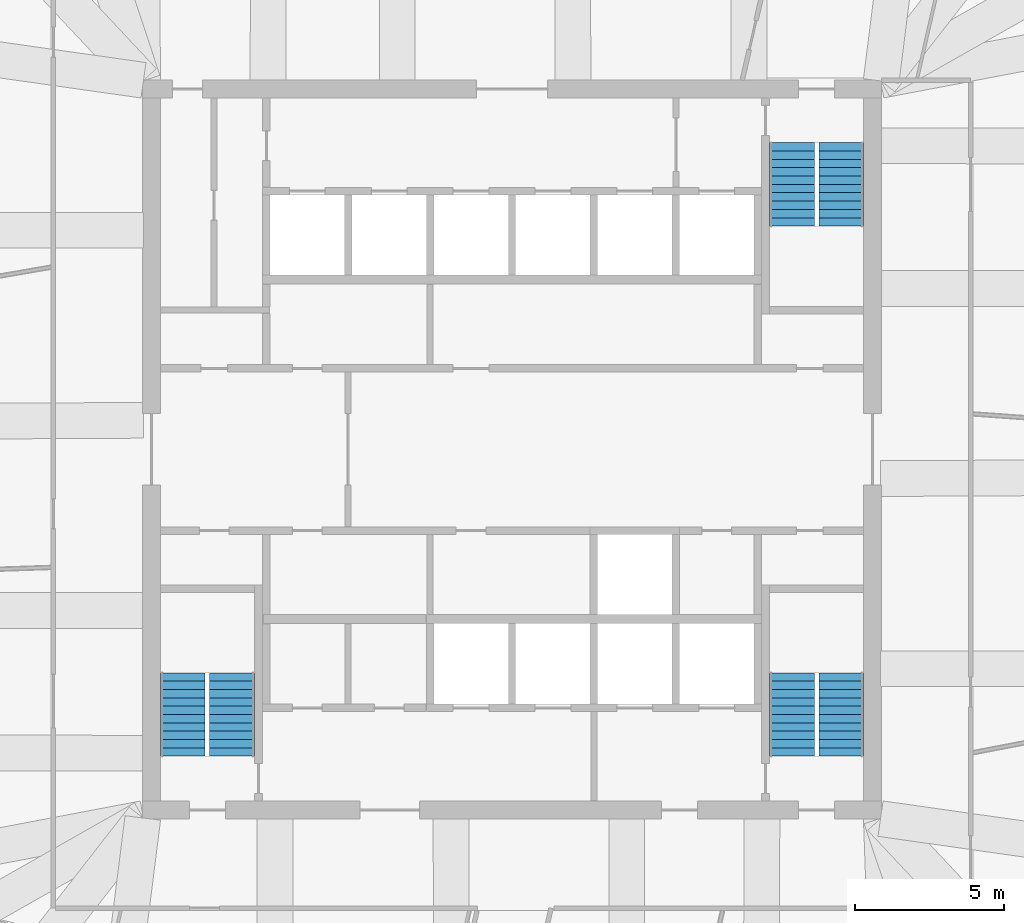
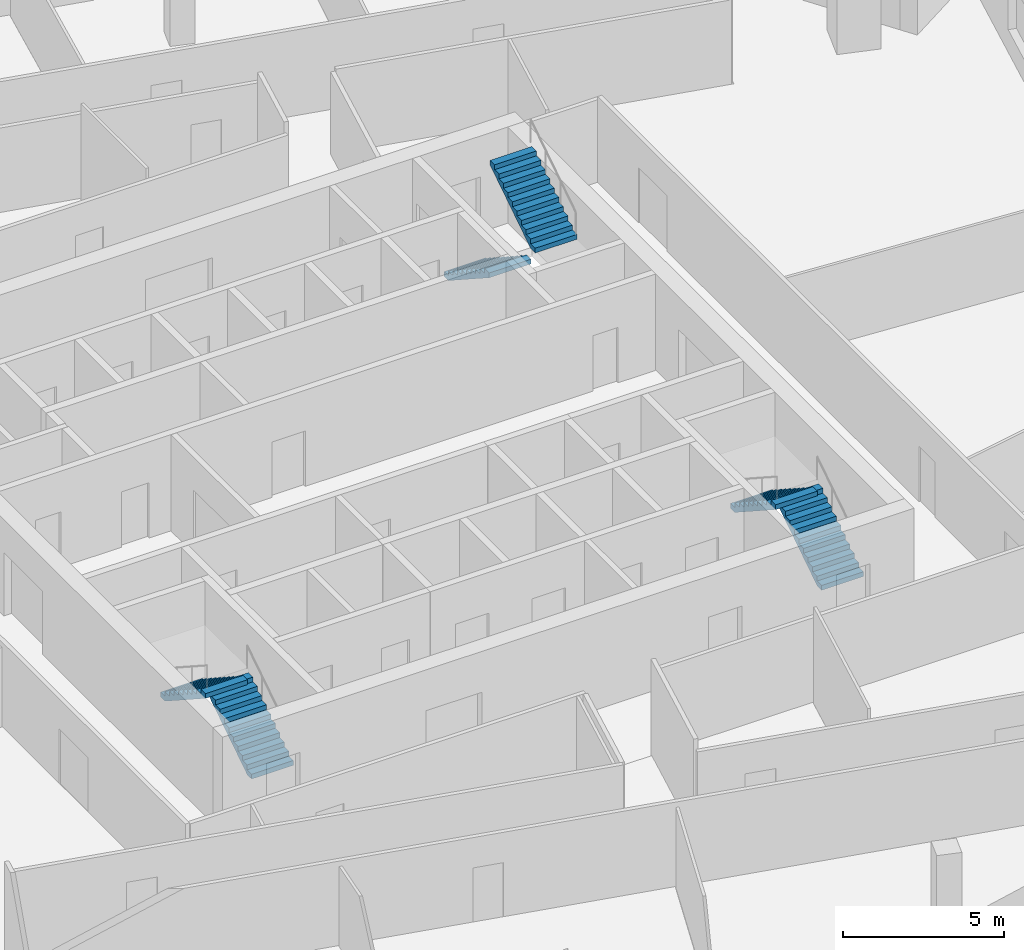
# One storey, part 11 of 14: 6 stair flights, 3 elements without a shape of their own.
"""IFC4 building model written with IfcOpenShell, lengths in metres."""

from ifc_helpers import new_model, si_unit, direction, frame, origin, place, context, subcontext, project, spatial, polyline, outline, extrude, material, type_object, element, aggregate, save


model = new_model("IFC4")

# Units and contexts
model_context = context("Model", 3, precision=1e-05, world=origin(), true_north=direction((0.0, 1.0)))
body_context = subcontext(model_context, "Body", "Model", "MODEL_VIEW")
ifc_project = project(units=[si_unit("LENGTHUNIT", "METRE"), si_unit("AREAUNIT", "SQUARE_METRE"), si_unit("VOLUMEUNIT", "CUBIC_METRE"), si_unit("PLANEANGLEUNIT", "RADIAN"), si_unit("MASSUNIT", "GRAM", prefix="KILO")], contexts=[model_context])

# Site, building, storey
site_placement = place(None, origin())
site = spatial("IfcSite", under=ifc_project, at=site_placement, CompositionType="ELEMENT")
building_placement = place(site_placement, origin())
building = spatial("IfcBuilding", under=site, at=building_placement, Name="Dilmun Exchange Tower", CompositionType="ELEMENT")
storey_placement = place(building_placement, frame((0.0, 0.0, 332.5)))
storey = spatial("IfcBuildingStorey", under=building, at=storey_placement, Name="L79", CompositionType="ELEMENT", Elevation=332.5)

# Stair, stair flights
ifc_material = material(Name="Concrete C40/50", Category="concrete")
stair_type = type_object("IfcStairType", Name="Exit stair 1500 half-turn", PredefinedType="HALF_TURN_STAIR", material=ifc_material)
stair_1_placement = place(storey_placement, origin())
stair_1 = element("IfcStair", 1, at=stair_1_placement, inside=storey, type_object=stair_type, Name="L79 Protected exit stair ST1", PredefinedType="HALF_TURN_STAIR")
stair_flight_type = type_object("IfcStairFlightType", Name="Exit stair flight 1500", PredefinedType="STRAIGHT", material=ifc_material)
stair_flight_1_placement = place(storey_placement, frame((9.39990234375, 10.300048828125, 0.0), z_axis=(0.0, 0.0, 1.0), x_axis=(0.0, -1.0, 0.0)))
stair_flight_1 = element("IfcStairFlight", 2, at=stair_flight_1_placement, type_object=stair_flight_type, Name="ST1 flight 1", NumberOfRisers=11, NumberOfTreads=10, PredefinedType="STRAIGHT", RiserHeight=0.181818182, TreadLength=0.28, context=body_context, shape_type="SweptSolid", body=[
    extrude(outline(polyline([(0.0, 0.0), (0.0, 0.181884765625), (0.280029296875, 0.181884765625), (0.280029296875, 0.363525390625), (0.56005859375, 0.363525390625), (0.56005859375, 0.54541015625), (0.840087890625, 0.54541015625), (0.840087890625, 0.727294921875), (1.1201171875, 0.727294921875), (1.1201171875, 0.9091796875), (1.39990234375, 0.9091796875), (1.39990234375, 1.0908203125), (1.679931640625, 1.0908203125), (1.679931640625, 1.272705078125), (1.9599609375, 1.272705078125), (1.9599609375, 1.45458984375), (2.239990234375, 1.45458984375), (2.239990234375, 1.636474609375), (2.52001953125, 1.636474609375), (2.52001953125, 1.818115234375), (2.800048828125, 1.818115234375), (2.800048828125, 2.0), (2.800048828125, 1.639404296875), (0.275146484375, 0.0), (0.0, 0.0)])), frame((0.0, 0.75, 0.0), z_axis=(0.0, -1.0, 0.0), x_axis=(1.0, 0.0, 0.0)), (0.0, 0.0, 1.0), 1.5),
])
stair_flight_2_placement = place(storey_placement, frame((11.050048828125, 7.5, 2.0), z_axis=(0.0, 0.0, 1.0), x_axis=(0.0, 1.0, 0.0)))
stair_flight_2 = element("IfcStairFlight", 3, at=stair_flight_2_placement, type_object=stair_flight_type, Name="ST1 flight 2", NumberOfRisers=11, NumberOfTreads=10, PredefinedType="STRAIGHT", RiserHeight=0.181818182, TreadLength=0.28, context=body_context, shape_type="SweptSolid", body=[
    extrude(outline(polyline([(0.0, 0.0), (0.0, 0.181884765625), (0.280029296875, 0.181884765625), (0.280029296875, 0.363525390625), (0.56005859375, 0.363525390625), (0.56005859375, 0.54541015625), (0.840087890625, 0.54541015625), (0.840087890625, 0.727294921875), (1.1201171875, 0.727294921875), (1.1201171875, 0.9091796875), (1.39990234375, 0.9091796875), (1.39990234375, 1.0908203125), (1.679931640625, 1.0908203125), (1.679931640625, 1.272705078125), (1.9599609375, 1.272705078125), (1.9599609375, 1.45458984375), (2.239990234375, 1.45458984375), (2.239990234375, 1.636474609375), (2.52001953125, 1.636474609375), (2.52001953125, 1.818115234375), (2.800048828125, 1.818115234375), (2.800048828125, 2.0), (2.800048828125, 1.639404296875), (0.275146484375, 0.0), (0.0, 0.0)])), frame((0.0, 0.75, 0.0), z_axis=(0.0, -1.0, 0.0), x_axis=(1.0, 0.0, 0.0)), (0.0, 0.0, 1.0), 1.5),
])
aggregate(stair_1, [stair_flight_1, stair_flight_2])

stair_2_placement = place(storey_placement, origin())
stair_2 = element("IfcStair", 4, at=stair_2_placement, inside=storey, type_object=stair_type, Name="L79 Protected exit stair ST2", PredefinedType="HALF_TURN_STAIR")
stair_flight_3_placement = place(storey_placement, frame((-9.39990234375, -10.300048828125, 0.0), z_axis=(0.0, 0.0, 1.0), x_axis=(0.0, 1.0, 0.0)))
stair_flight_3 = element("IfcStairFlight", 5, at=stair_flight_3_placement, type_object=stair_flight_type, Name="ST2 flight 1", NumberOfRisers=11, NumberOfTreads=10, PredefinedType="STRAIGHT", RiserHeight=0.181818182, TreadLength=0.28, context=body_context, shape_type="SweptSolid", body=[
    extrude(outline(polyline([(0.0, 0.0), (0.0, 0.181884765625), (0.280029296875, 0.181884765625), (0.280029296875, 0.363525390625), (0.56005859375, 0.363525390625), (0.56005859375, 0.54541015625), (0.840087890625, 0.54541015625), (0.840087890625, 0.727294921875), (1.1201171875, 0.727294921875), (1.1201171875, 0.9091796875), (1.39990234375, 0.9091796875), (1.39990234375, 1.0908203125), (1.679931640625, 1.0908203125), (1.679931640625, 1.272705078125), (1.9599609375, 1.272705078125), (1.9599609375, 1.45458984375), (2.239990234375, 1.45458984375), (2.239990234375, 1.636474609375), (2.52001953125, 1.636474609375), (2.52001953125, 1.818115234375), (2.800048828125, 1.818115234375), (2.800048828125, 2.0), (2.800048828125, 1.639404296875), (0.275146484375, 0.0), (0.0, 0.0)])), frame((0.0, 0.75, 0.0), z_axis=(0.0, -1.0, 0.0), x_axis=(1.0, 0.0, 0.0)), (0.0, 0.0, 1.0), 1.5),
])
stair_flight_4_placement = place(storey_placement, frame((-11.050048828125, -7.5, 2.0), z_axis=(0.0, 0.0, 1.0), x_axis=(0.0, -1.0, 0.0)))
stair_flight_4 = element("IfcStairFlight", 6, at=stair_flight_4_placement, type_object=stair_flight_type, Name="ST2 flight 2", NumberOfRisers=11, NumberOfTreads=10, PredefinedType="STRAIGHT", RiserHeight=0.181818182, TreadLength=0.28, context=body_context, shape_type="SweptSolid", body=[
    extrude(outline(polyline([(0.0, 0.0), (0.0, 0.181884765625), (0.280029296875, 0.181884765625), (0.280029296875, 0.363525390625), (0.56005859375, 0.363525390625), (0.56005859375, 0.54541015625), (0.840087890625, 0.54541015625), (0.840087890625, 0.727294921875), (1.1201171875, 0.727294921875), (1.1201171875, 0.9091796875), (1.39990234375, 0.9091796875), (1.39990234375, 1.0908203125), (1.679931640625, 1.0908203125), (1.679931640625, 1.272705078125), (1.9599609375, 1.272705078125), (1.9599609375, 1.45458984375), (2.239990234375, 1.45458984375), (2.239990234375, 1.636474609375), (2.52001953125, 1.636474609375), (2.52001953125, 1.818115234375), (2.800048828125, 1.818115234375), (2.800048828125, 2.0), (2.800048828125, 1.639404296875), (0.275146484375, 0.0), (0.0, 0.0)])), frame((0.0, 0.75, 0.0), z_axis=(0.0, -1.0, 0.0), x_axis=(1.0, 0.0, 0.0)), (0.0, 0.0, 1.0), 1.5),
])
aggregate(stair_2, [stair_flight_3, stair_flight_4])

stair_3_placement = place(storey_placement, origin())
stair_3 = element("IfcStair", 7, at=stair_3_placement, inside=storey, type_object=stair_type, Name="L79 Protected exit stair ST3", PredefinedType="HALF_TURN_STAIR")
stair_flight_5_placement = place(storey_placement, frame((11.050048828125, -10.300048828125, 0.0), z_axis=(0.0, 0.0, 1.0), x_axis=(0.0, 1.0, 0.0)))
stair_flight_5 = element("IfcStairFlight", 8, at=stair_flight_5_placement, type_object=stair_flight_type, Name="ST3 flight 1", NumberOfRisers=11, NumberOfTreads=10, PredefinedType="STRAIGHT", RiserHeight=0.181818182, TreadLength=0.28, context=body_context, shape_type="SweptSolid", body=[
    extrude(outline(polyline([(0.0, 0.0), (0.0, 0.181884765625), (0.280029296875, 0.181884765625), (0.280029296875, 0.363525390625), (0.56005859375, 0.363525390625), (0.56005859375, 0.54541015625), (0.840087890625, 0.54541015625), (0.840087890625, 0.727294921875), (1.1201171875, 0.727294921875), (1.1201171875, 0.9091796875), (1.39990234375, 0.9091796875), (1.39990234375, 1.0908203125), (1.679931640625, 1.0908203125), (1.679931640625, 1.272705078125), (1.9599609375, 1.272705078125), (1.9599609375, 1.45458984375), (2.239990234375, 1.45458984375), (2.239990234375, 1.636474609375), (2.52001953125, 1.636474609375), (2.52001953125, 1.818115234375), (2.800048828125, 1.818115234375), (2.800048828125, 2.0), (2.800048828125, 1.639404296875), (0.275146484375, 0.0), (0.0, 0.0)])), frame((0.0, 0.75, 0.0), z_axis=(0.0, -1.0, 0.0), x_axis=(1.0, 0.0, 0.0)), (0.0, 0.0, 1.0), 1.5),
])
stair_flight_6_placement = place(storey_placement, frame((9.39990234375, -7.5, 2.0), z_axis=(0.0, 0.0, 1.0), x_axis=(0.0, -1.0, 0.0)))
stair_flight_6 = element("IfcStairFlight", 9, at=stair_flight_6_placement, type_object=stair_flight_type, Name="ST3 flight 2", NumberOfRisers=11, NumberOfTreads=10, PredefinedType="STRAIGHT", RiserHeight=0.181818182, TreadLength=0.28, context=body_context, shape_type="SweptSolid", body=[
    extrude(outline(polyline([(0.0, 0.0), (0.0, 0.181884765625), (0.280029296875, 0.181884765625), (0.280029296875, 0.363525390625), (0.56005859375, 0.363525390625), (0.56005859375, 0.54541015625), (0.840087890625, 0.54541015625), (0.840087890625, 0.727294921875), (1.1201171875, 0.727294921875), (1.1201171875, 0.9091796875), (1.39990234375, 0.9091796875), (1.39990234375, 1.0908203125), (1.679931640625, 1.0908203125), (1.679931640625, 1.272705078125), (1.9599609375, 1.272705078125), (1.9599609375, 1.45458984375), (2.239990234375, 1.45458984375), (2.239990234375, 1.636474609375), (2.52001953125, 1.636474609375), (2.52001953125, 1.818115234375), (2.800048828125, 1.818115234375), (2.800048828125, 2.0), (2.800048828125, 1.639404296875), (0.275146484375, 0.0), (0.0, 0.0)])), frame((0.0, 0.75, 0.0), z_axis=(0.0, -1.0, 0.0), x_axis=(1.0, 0.0, 0.0)), (0.0, 0.0, 1.0), 1.5),
])
aggregate(stair_3, [stair_flight_5, stair_flight_6])

save(model, "model.ifc")
